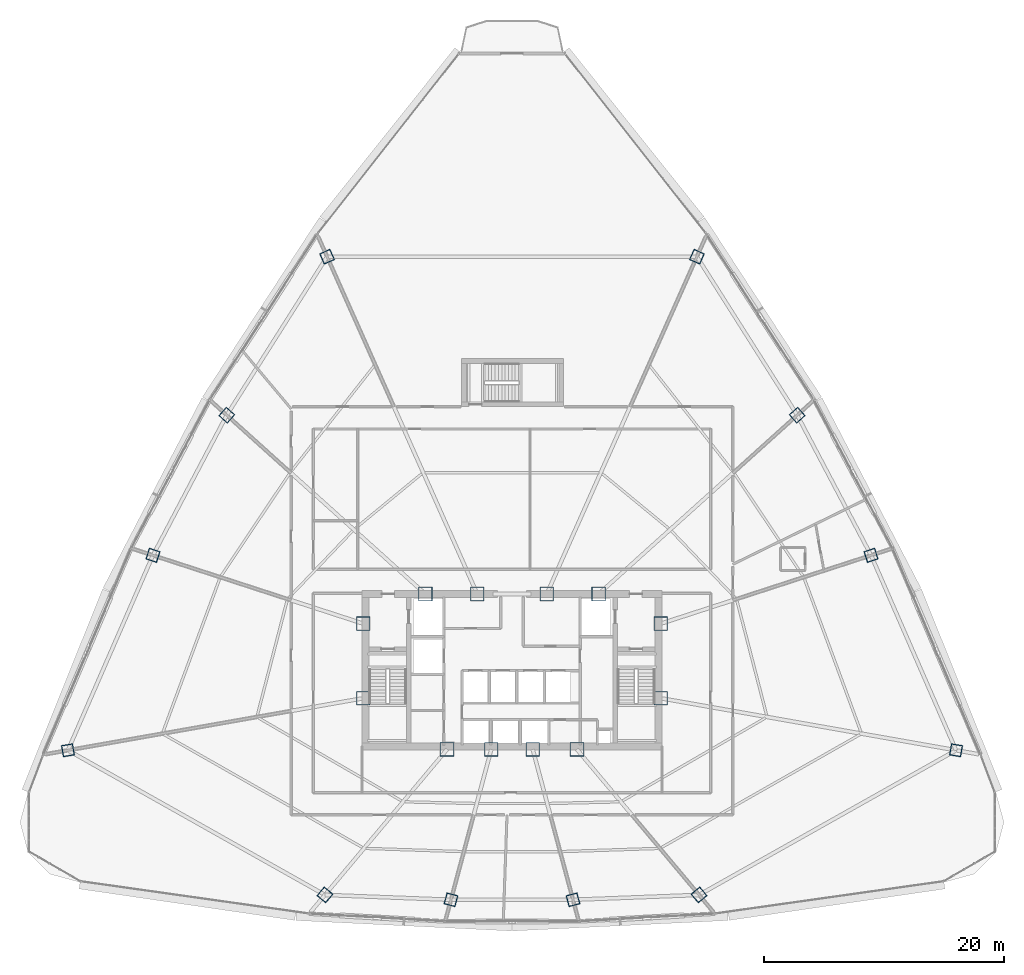
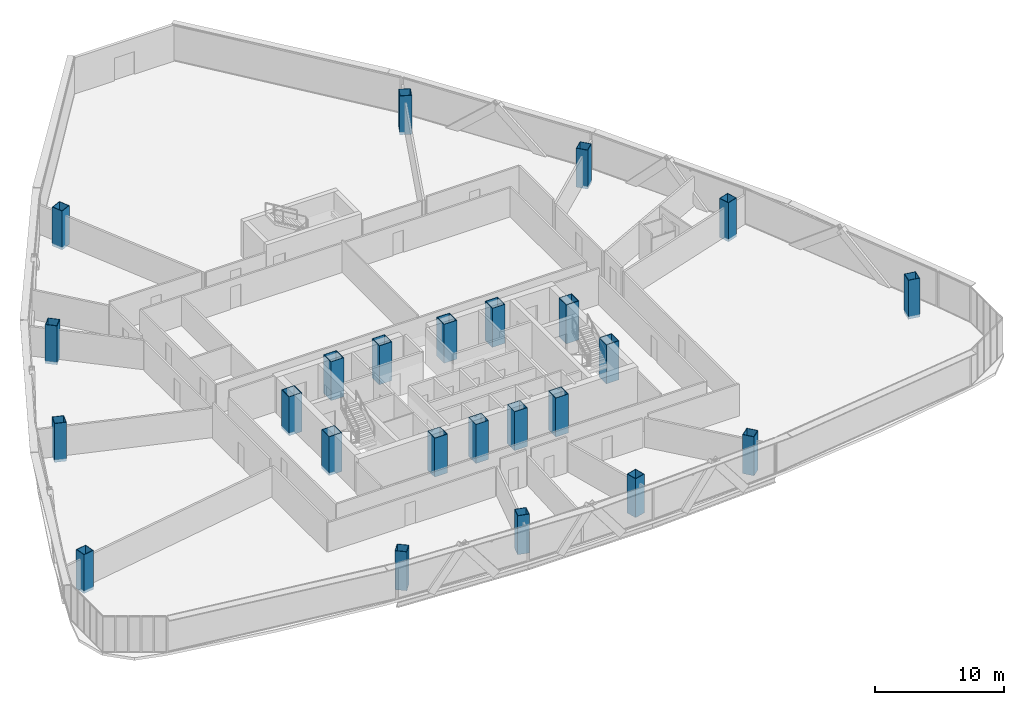
# One storey, part 1 of 42: 24 columns.
"""IFC4 building model written with IfcOpenShell, lengths in metres."""

from ifc_helpers import new_model, si_unit, direction, frame, origin, origin_2d, place, context, subcontext, project, spatial, hollow_rectangle, extrude, source, transform, mapped, material, material_profile, profile_set, type_object, element, save


model = new_model("IFC4")

# Units and contexts
model_context = context("Model", 3, precision=1e-05, world=origin(), true_north=direction((0.0, 1.0)))
body_context = subcontext(model_context, "Body", "Model", "MODEL_VIEW")
ifc_project = project(units=[si_unit("LENGTHUNIT", "METRE"), si_unit("AREAUNIT", "SQUARE_METRE"), si_unit("VOLUMEUNIT", "CUBIC_METRE"), si_unit("PLANEANGLEUNIT", "RADIAN"), si_unit("MASSUNIT", "GRAM", prefix="KILO"), si_unit("THERMODYNAMICTEMPERATUREUNIT", "KELVIN"), si_unit("POWERUNIT", "WATT")], contexts=[model_context])

# Site, building, storey
site_placement = place(None, origin())
site = spatial("IfcSite", under=ifc_project, at=site_placement, CompositionType="ELEMENT")
building_placement = place(site_placement, origin())
building = spatial("IfcBuilding", under=site, at=building_placement, Name="Yunzhuo Pagoda Commons", CompositionType="ELEMENT")
storey_placement = place(building_placement, frame((0.0, 0.0, 133.510009765625)))
storey = spatial("IfcBuildingStorey", under=building, at=storey_placement, Name="L33", CompositionType="ELEMENT", Elevation=133.510009765625)

# Columns
ifc_material = material(Name="Structural steel Q420B", Category="steel")
ifc_material_profile_1 = material_profile(ifc_material, hollow_rectangle(XDim=1.14990234375, YDim=1.14990234375, WallThickness=0.048095703125, at=origin_2d()), Name="Structural steel Q420B")
ifc_profile_set_1 = profile_set([ifc_material_profile_1], Name="Structural steel Q420B")
column_type_1 = type_object("IfcColumnType", Name="C-COR Column BOX 1150x1150x48", PredefinedType="COLUMN", material=ifc_profile_set_1)
shared_shape_1 = source(origin(), body_context, "Body", "SweptSolid", [
    extrude(hollow_rectangle(XDim=1.14990234375, YDim=1.14990234375, WallThickness=0.048095703125, at=origin_2d()), origin(), (0.0, 0.0, 1.0), 3.679931640625),
])
for number, where, z_axis, x_axis, name in (
    (1, (42.587890625, 27.25, -0.260009765625), (0.0, 0.0, 1.0), (1.0, 0.0, 0.0), "L33 core composite column F1C1"),
    (2, (46.27197265625, 27.25, -0.260009765625), (0.0, 0.0, 1.0), (1.0, 0.0, 0.0), "L33 core composite column F1C2"),
    (3, (49.728515625, 27.25, -0.260009765625), (0.0, 0.0, 1.0), (1.0, 0.0, 0.0), "L33 core composite column F1C3"),
    (4, (53.412109375, 27.25, -0.260009765625), (0.0, 0.0, 1.0), (1.0, 0.0, 0.0), "L33 core composite column F1C4"),
    (5, (60.39990234375, 31.513427734375, -0.260009765625), (0.0, 0.0, 1.0), (1.0, 0.0, 0.0), "L33 core composite column F2C1"),
    (6, (60.39990234375, 37.72900390625, -0.260009765625), (0.0, 0.0, 1.0), (1.0, 0.0, 0.0), "L33 core composite column F2C2"),
    (7, (55.218994140625, 40.199951171875, -0.260009765625), (0.0, 0.0, 1.0), (1.0, 0.0, 0.0), "L33 core composite column F2C3"),
    (8, (50.89404296875, 40.199951171875, -0.260009765625), (0.0, 0.0, 1.0), (1.0, 0.0, 0.0), "L33 core composite column F2C4"),
    (9, (45.10595703125, 40.199951171875, -0.260009765625), (0.0, 0.0, 1.0), (1.0, 0.0, 0.0), "L33 core composite column F3C1"),
    (10, (40.781005859375, 40.199951171875, -0.260009765625), (0.0, 0.0, 1.0), (1.0, 0.0, 0.0), "L33 core composite column F3C2"),
    (11, (35.60009765625, 37.72900390625, -0.260009765625), (0.0, 0.0, 1.0), (1.0, 0.0, 0.0), "L33 core composite column F3C3"),
    (12, (35.60009765625, 31.513427734375, -0.260009765625), (0.0, 0.0, 1.0), (1.0, 0.0, 0.0), "L33 core composite column F3C4"),
):
    element("IfcColumn", number, at=place(storey_placement, frame(where, z_axis=z_axis, x_axis=x_axis)), inside=storey, type_object=column_type_1, Name=name, PredefinedType="COLUMN", context=body_context, shape_type="MappedRepresentation", body=[
        mapped(shared_shape_1, transform((0.0, 0.0, 0.0), scale=1.0)),
    ])
ifc_material_profile_2 = material_profile(ifc_material, hollow_rectangle(XDim=0.949951171875, YDim=0.949951171875, WallThickness=0.0400390625, at=origin_2d()), Name="Structural steel Q420B")
ifc_profile_set_2 = profile_set([ifc_material_profile_2], Name="Structural steel Q420B")
column_type_2 = type_object("IfcColumnType", Name="C-Z3 Column BOX 950x950x40", PredefinedType="COLUMN", material=ifc_profile_set_2)
shared_shape_2 = source(origin(), body_context, "Body", "SweptSolid", [
    extrude(hollow_rectangle(XDim=0.949951171875, YDim=0.949951171875, WallThickness=0.0400390625, at=origin_2d()), origin(), (0.0, 0.0, 1.0), 3.679931640625),
])
for number, where, z_axis, x_axis, name in (
    (13, (32.414794921875, 15.126220703125, -0.260009765625), (0.0, 0.0, 1.0), (0.766044443119, -0.642787609687, 0.0), "L33 tower column F1C1"),
    (14, (42.914794921875, 14.7216796875, -0.260009765625), (0.0, 0.0, 1.0), (0.965925826289, -0.258819045103, 0.0), "L33 tower column F1C2"),
    (15, (53.085205078125, 14.7216796875, -0.260009765625), (0.0, 0.0, 1.0), (0.965925826289, 0.258819045103, 0.0), "L33 tower column F1C3"),
    (16, (63.585205078125, 15.126220703125, -0.260009765625), (0.0, 0.0, 1.0), (0.766044443119, 0.642787609687, 0.0), "L33 tower column F1C4"),
    (17, (84.9970703125, 27.176513671875, -0.260009765625), (0.0, 0.0, 1.0), (0.173648177667, 0.984807753012, 0.0), "L33 tower column F2C1"),
    (18, (77.915283203125, 43.420166015625, -0.260009765625), (0.0, 0.0, 1.0), (-0.309016994375, 0.951056516295, 0.0), "L33 tower column F2C2"),
    (19, (71.76611328125, 55.09912109375, -0.260009765625), (0.0, 0.0, 1.0), (-0.669130606359, 0.743144825477, 0.0), "L33 tower column F2C3"),
    (20, (63.406005859375, 68.302734375, -0.260009765625), (0.0, 0.0, 1.0), (-0.913545457643, 0.406736643076, 0.0), "L33 tower column F2C4"),
    (21, (32.593994140625, 68.302734375, -0.260009765625), (0.0, 0.0, 1.0), (-0.913545457643, -0.406736643076, 0.0), "L33 tower column F3C1"),
    (22, (24.23388671875, 55.09912109375, -0.260009765625), (0.0, 0.0, 1.0), (-0.669130606359, -0.743144825477, 0.0), "L33 tower column F3C2"),
    (23, (18.084716796875, 43.420166015625, -0.260009765625), (0.0, 0.0, 1.0), (-0.309016994375, -0.951056516295, 0.0), "L33 tower column F3C3"),
    (24, (11.0029296875, 27.176513671875, -0.260009765625), (0.0, 0.0, 1.0), (0.173648177667, -0.984807753012, 0.0), "L33 tower column F3C4"),
):
    element("IfcColumn", number, at=place(storey_placement, frame(where, z_axis=z_axis, x_axis=x_axis)), inside=storey, type_object=column_type_2, Name=name, PredefinedType="COLUMN", context=body_context, shape_type="MappedRepresentation", body=[
        mapped(shared_shape_2, transform((0.0, 0.0, 0.0), scale=1.0)),
    ])

save(model, "model.ifc")
